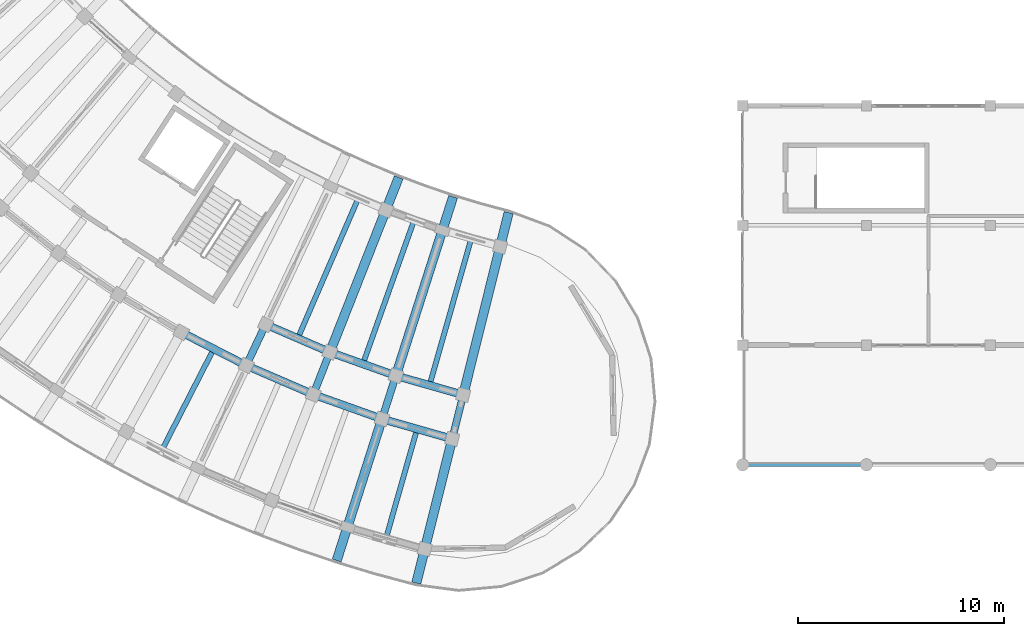
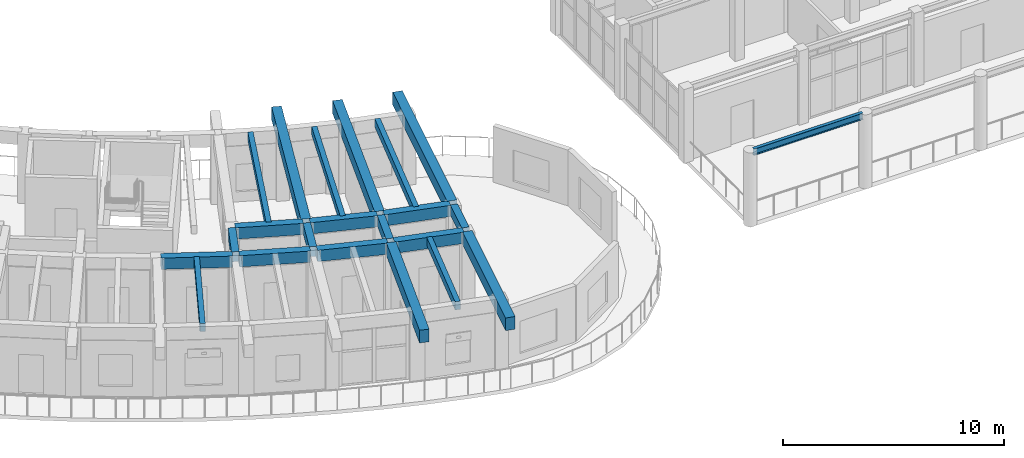
# One storey, part 9 of 128: 22 beams.
"""IFC4 building model written with IfcOpenShell, lengths in metres."""

from ifc_helpers import new_model, si_unit, direction, frame, origin, origin_2d, place, context, subcontext, project, spatial, rectangle, i_section, extrude, material, material_profile, profile_set, type_object, element, save


model = new_model("IFC4")

# Units and contexts
model_context = context("Model", 3, precision=1e-05, world=origin(), true_north=direction((0.0, 1.0)))
body_context = subcontext(model_context, "Body", "Model", "MODEL_VIEW")
ifc_project = project(units=[si_unit("LENGTHUNIT", "METRE"), si_unit("AREAUNIT", "SQUARE_METRE"), si_unit("VOLUMEUNIT", "CUBIC_METRE"), si_unit("PLANEANGLEUNIT", "RADIAN"), si_unit("MASSUNIT", "GRAM", prefix="KILO")], contexts=[model_context])

# Site, building, storey
site_placement = place(None, origin())
site = spatial("IfcSite", under=ifc_project, at=site_placement, CompositionType="ELEMENT")
building_placement = place(site_placement, origin())
building = spatial("IfcBuilding", under=site, at=building_placement, Name="Tanwirah Colonnade Gardens", CompositionType="ELEMENT")
storey_placement = place(building_placement, frame((0.0, 0.0, 4.760009765625)))
storey = spatial("IfcBuildingStorey", under=building, at=storey_placement, Name="L01", CompositionType="ELEMENT", Elevation=4.760009765625)

# Beams
ifc_material_1 = material(Name="Precast concrete C40/50", Category="concrete")
ifc_material_profile_1 = material_profile(ifc_material_1, rectangle(XDim=0.35009765625, YDim=0.550048828125, at=origin_2d()), Name="PC-BM 350x550")
ifc_profile_set_1 = profile_set([ifc_material_profile_1], Name="Precast concrete C40/50")
beam_type_1 = type_object("IfcBeamType", Name="BM-PC350A", PredefinedType="BEAM", material=ifc_profile_set_1)
beam_1_placement = place(storey_placement, frame((42.818359375, 17.46826171875, 3.550048828125), z_axis=(-0.426483812015, -0.904495195172, 0.0), x_axis=(0.904495195172, -0.426483812015, 0.0)))
element("IfcBeam", 1, at=beam_1_placement, inside=storey, type_object=beam_type_1, Name="Block C L01 Corridor Tie Beam 13", PredefinedType="BEAM", context=body_context, shape_type="SweptSolid", body=[
    extrude(rectangle(XDim=0.35009765625, YDim=0.550048828125, at=origin_2d()), origin(), (0.0, 0.0, 1.0), 1.89990234375),
])
beam_2_placement = place(storey_placement, frame((45.94189453125, 16.1181640625, 3.550048828125), z_axis=(-0.366511033969, -0.930413704746, 0.0), x_axis=(0.930413704746, -0.366511033969, 0.0)))
element("IfcBeam", 2, at=beam_2_placement, inside=storey, type_object=beam_type_1, Name="Block C L01 Corridor Tie Beam 14", PredefinedType="BEAM", context=body_context, shape_type="SweptSolid", body=[
    extrude(rectangle(XDim=0.35009765625, YDim=0.550048828125, at=origin_2d()), origin(), (0.0, 0.0, 1.0), 1.899658203125),
])
for number, where, z_axis, x_axis, name in (
    (3, (49.14697265625, 14.975341796875, 3.550048828125), (-0.304794376797, -0.952418179096, 0.0), (0.952418179096, -0.304794376797, 0.0), "Block C L01 Corridor Tie Beam 15"),
    (4, (52.420166015625, 14.044677734375, 3.550048828125), (-0.241961122321, -0.970285945114, 0.0), (0.970285945114, -0.241961122321, 0.0), "Block C L01 Corridor Tie Beam 16"),
):
    element("IfcBeam", number, at=place(storey_placement, frame(where, z_axis=z_axis, x_axis=x_axis)), inside=storey, type_object=beam_type_1, Name=name, PredefinedType="BEAM", context=body_context, shape_type="SweptSolid", body=[
        extrude(rectangle(XDim=0.35009765625, YDim=0.550048828125, at=origin_2d()), origin(), (0.0, 0.0, 1.0), 1.89990234375),
    ])
ifc_material_profile_2 = material_profile(ifc_material_1, rectangle(XDim=0.3798828125, YDim=0.6201171875, at=origin_2d()), Name="PC-BM 380x620")
ifc_profile_set_2 = profile_set([ifc_material_profile_2], Name="Precast concrete C40/50")
beam_type_2 = type_object("IfcBeamType", Name="BM-PC380", PredefinedType="BEAM", material=ifc_profile_set_2)
beam_3_placement = place(storey_placement, frame((38.929443359375, 17.158447265625, 3.514892578125), z_axis=(0.890025451153, -0.45591084249, 0.0), x_axis=(0.45591084249, 0.890025451153, 0.0)))
element("IfcBeam", 5, at=beam_3_placement, inside=storey, type_object=beam_type_2, Name="Block C L01 Circumferential Beam 12-R2", PredefinedType="BEAM", context=body_context, shape_type="SweptSolid", body=[
    extrude(rectangle(XDim=0.3798828125, YDim=0.6201171875, at=origin_2d()), origin(), (0.0, 0.0, 1.0), 3.237060546875),
])
beam_4_placement = place(storey_placement, frame((43.02001953125, 17.54443359375, 3.514892578125), z_axis=(0.917936292782, -0.396727819032, 0.0), x_axis=(0.396727819032, 0.917936292782, 0.0)))
element("IfcBeam", 6, at=beam_4_placement, inside=storey, type_object=beam_type_2, Name="Block C L01 Circumferential Beam 13-R1", PredefinedType="BEAM", context=body_context, shape_type="SweptSolid", body=[
    extrude(rectangle(XDim=0.3798828125, YDim=0.6201171875, at=origin_2d()), origin(), (0.0, 0.0, 1.0), 3.093017578125),
])
beam_5_placement = place(storey_placement, frame((42.08154296875, 15.5546875, 3.514892578125), z_axis=(0.917943156181, -0.396711938338, 0.0), x_axis=(0.396711938338, 0.917943156181, 0.0)))
element("IfcBeam", 7, at=beam_5_placement, inside=storey, type_object=beam_type_2, Name="Block C L01 Circumferential Beam 13-R2", PredefinedType="BEAM", context=body_context, shape_type="SweptSolid", body=[
    extrude(rectangle(XDim=0.3798828125, YDim=0.6201171875, at=origin_2d()), origin(), (0.0, 0.0, 1.0), 3.237060546875),
])
beam_6_placement = place(storey_placement, frame((46.13818359375, 16.20751953125, 3.514892578125), z_axis=(0.941911444877, -0.335861325564, 0.0), x_axis=(0.335861325564, 0.941911444877, 0.0)))
element("IfcBeam", 8, at=beam_6_placement, inside=storey, type_object=beam_type_2, Name="Block C L01 Circumferential Beam 14-R1", PredefinedType="BEAM", context=body_context, shape_type="SweptSolid", body=[
    extrude(rectangle(XDim=0.3798828125, YDim=0.6201171875, at=origin_2d()), origin(), (0.0, 0.0, 1.0), 3.093017578125),
])
beam_7_placement = place(storey_placement, frame((45.331787109375, 14.16064453125, 3.514892578125), z_axis=(0.941917534978, -0.335844245597, 0.0), x_axis=(0.335844245597, 0.941917534978, 0.0)))
element("IfcBeam", 9, at=beam_7_placement, inside=storey, type_object=beam_type_2, Name="Block C L01 Circumferential Beam 14-R2", PredefinedType="BEAM", context=body_context, shape_type="SweptSolid", body=[
    extrude(rectangle(XDim=0.3798828125, YDim=0.6201171875, at=origin_2d()), origin(), (0.0, 0.0, 1.0), 3.237060546875),
])
beam_8_placement = place(storey_placement, frame((49.337158203125, 15.0771484375, 3.514892578125), z_axis=(0.961865763464, -0.273521942585, 0.0), x_axis=(0.273521942585, 0.961865763464, 0.0)))
element("IfcBeam", 10, at=beam_8_placement, inside=storey, type_object=beam_type_2, Name="Block C L01 Circumferential Beam 15-R1", PredefinedType="BEAM", context=body_context, shape_type="SweptSolid", body=[
    extrude(rectangle(XDim=0.3798828125, YDim=0.6201171875, at=origin_2d()), origin(), (0.0, 0.0, 1.0), 3.0927734375),
])
beam_9_placement = place(storey_placement, frame((48.666259765625, 12.98193359375, 3.514892578125), z_axis=(0.96185623635, -0.273555443366, 0.0), x_axis=(0.273555443366, 0.96185623635, 0.0)))
element("IfcBeam", 11, at=beam_9_placement, inside=storey, type_object=beam_type_2, Name="Block C L01 Circumferential Beam 15-R2", PredefinedType="BEAM", context=body_context, shape_type="SweptSolid", body=[
    extrude(rectangle(XDim=0.3798828125, YDim=0.6201171875, at=origin_2d()), origin(), (0.0, 0.0, 1.0), 3.237060546875),
])
ifc_material_2 = material(Name="Precast concrete C45/55", Category="concrete")
ifc_material_profile_3 = material_profile(ifc_material_2, rectangle(XDim=0.449951171875, YDim=0.699951171875, at=origin_2d()), Name="PC-BM 450x700")
ifc_profile_set_3 = profile_set([ifc_material_profile_3], Name="Precast concrete C45/55")
beam_type_3 = type_object("IfcBeamType", Name="BM-PC450", PredefinedType="BEAM", material=ifc_profile_set_3)
for number, where, z_axis, x_axis, name in (
    (12, (46.052001953125, 16.3974609375, 3.47509765625), (0.36648945479, 0.930422204984, 0.0), (-0.930422204984, 0.36648945479, 0.0), "Block C L01 Inner Radial Precast Girder 14"),
    (13, (49.238525390625, 15.26123046875, 3.47509765625), (0.304862826508, 0.952396270999, 0.0), (-0.952396270999, 0.304862826508, 0.0), "Block C L01 Inner Radial Precast Girder 15"),
):
    element("IfcBeam", number, at=place(storey_placement, frame(where, z_axis=z_axis, x_axis=x_axis)), inside=storey, type_object=beam_type_3, Name=name, PredefinedType="BEAM", context=body_context, shape_type="SweptSolid", body=[
        extrude(rectangle(XDim=0.449951171875, YDim=0.699951171875, at=origin_2d()), origin(), (0.0, 0.0, 1.0), 8.949951171875),
    ])
beam_10_placement = place(storey_placement, frame((48.476318359375, 12.880126953125, 3.47509765625), z_axis=(-0.304849862001, -0.952400420851, 0.0), x_axis=(0.952400420851, -0.304849862001, 0.0)))
element("IfcBeam", 14, at=beam_10_placement, inside=storey, type_object=beam_type_3, Name="Block C L01 Outer Radial Precast Girder 15", PredefinedType="BEAM", context=body_context, shape_type="SweptSolid", body=[
    extrude(rectangle(XDim=0.449951171875, YDim=0.699951171875, at=origin_2d()), origin(), (0.0, 0.0, 1.0), 7.050048828125),
])
beam_11_placement = place(storey_placement, frame((52.49267578125, 14.335693359375, 3.47509765625), z_axis=(0.241932243826, 0.970293146115, 0.0), x_axis=(-0.970293146115, 0.241932243826, 0.0)))
element("IfcBeam", 15, at=beam_11_placement, inside=storey, type_object=beam_type_3, Name="Block C L01 Inner Radial Precast Girder 16", PredefinedType="BEAM", context=body_context, shape_type="SweptSolid", body=[
    extrude(rectangle(XDim=0.449951171875, YDim=0.699951171875, at=origin_2d()), origin(), (0.0, 0.0, 1.0), 8.949951171875),
])
beam_12_placement = place(storey_placement, frame((51.887939453125, 11.909912109375, 3.47509765625), z_axis=(-0.241924461086, -0.970295086625, 0.0), x_axis=(0.970295086625, -0.241924461086, 0.0)))
element("IfcBeam", 16, at=beam_12_placement, inside=storey, type_object=beam_type_3, Name="Block C L01 Outer Radial Precast Girder 16", PredefinedType="BEAM", context=body_context, shape_type="SweptSolid", body=[
    extrude(rectangle(XDim=0.449951171875, YDim=0.699951171875, at=origin_2d()), origin(), (0.0, 0.0, 1.0), 7.050048828125),
])
ifc_material_profile_4 = material_profile(ifc_material_1, rectangle(XDim=0.25, YDim=0.449951171875, at=origin_2d()), Name="PC-JST 250x450")
ifc_profile_set_4 = profile_set([ifc_material_profile_4], Name="Precast concrete C40/50")
beam_type_4 = type_object("IfcBeamType", Name="JST-PC250", PredefinedType="JOIST", material=ifc_profile_set_4)
beam_13_placement = place(storey_placement, frame((40.302001953125, 16.287841796875, 3.60009765625), z_axis=(-0.455936851617, -0.890012127635, 0.0), x_axis=(0.890012127635, -0.455936851617, 0.0)))
element("IfcBeam", 17, at=beam_13_placement, inside=storey, type_object=beam_type_4, Name="Block C L01 Precast Floor Joist 12", PredefinedType="JOIST", context=body_context, shape_type="SweptSolid", body=[
    extrude(rectangle(XDim=0.25, YDim=0.449951171875, at=origin_2d()), origin(), (0.0, 0.0, 1.0), 5.260009765625),
])
beam_14_placement = place(storey_placement, frame((47.31689453125, 23.587890625, 3.60009765625), z_axis=(-0.396736454079, -0.917932560706, 0.0), x_axis=(0.917932560706, -0.396736454079, 0.0)))
element("IfcBeam", 18, at=beam_14_placement, inside=storey, type_object=beam_type_4, Name="Block C L01 Inner Precast Floor Joist 13", PredefinedType="JOIST", context=body_context, shape_type="SweptSolid", body=[
    extrude(rectangle(XDim=0.25, YDim=0.449951171875, at=origin_2d()), origin(), (0.0, 0.0, 1.0), 7.159912109375),
])
beam_15_placement = place(storey_placement, frame((50.030517578125, 22.51904296875, 3.60009765625), z_axis=(-0.335861148107, -0.941911508154, 0.0), x_axis=(0.941911508154, -0.335861148107, 0.0)))
element("IfcBeam", 19, at=beam_15_placement, inside=storey, type_object=beam_type_4, Name="Block C L01 Inner Precast Floor Joist 14", PredefinedType="JOIST", context=body_context, shape_type="SweptSolid", body=[
    extrude(rectangle(XDim=0.25, YDim=0.449951171875, at=origin_2d()), origin(), (0.0, 0.0, 1.0), 7.16015625),
])
beam_16_placement = place(storey_placement, frame((50.182373046875, 12.39599609375, 3.60009765625), z_axis=(-0.27352550206, -0.961864751263, 0.0), x_axis=(0.961864751263, -0.27352550206, 0.0)))
element("IfcBeam", 20, at=beam_16_placement, inside=storey, type_object=beam_type_4, Name="Block C L01 Precast Floor Joist 15", PredefinedType="JOIST", context=body_context, shape_type="SweptSolid", body=[
    extrude(rectangle(XDim=0.25, YDim=0.449951171875, at=origin_2d()), origin(), (0.0, 0.0, 1.0), 5.260009765625),
])
beam_17_placement = place(storey_placement, frame((52.808349609375, 21.6298828125, 3.60009765625), z_axis=(-0.273532000762, -0.961862903204, 0.0), x_axis=(0.961862903204, -0.273532000762, 0.0)))
element("IfcBeam", 21, at=beam_17_placement, inside=storey, type_object=beam_type_4, Name="Block C L01 Inner Precast Floor Joist 15", PredefinedType="JOIST", context=body_context, shape_type="SweptSolid", body=[
    extrude(rectangle(XDim=0.25, YDim=0.449951171875, at=origin_2d()), origin(), (0.0, 0.0, 1.0), 7.159912109375),
])
ifc_material_3 = material(Name="Steel S355", Category="steel")
ifc_material_profile_5 = material_profile(ifc_material_3, i_section(OverallWidth=0.169921875, OverallDepth=0.360107421875, WebThickness=0.008056640625, FlangeThickness=0.0126953125, at=origin_2d()), Name="IPE 360")
ifc_profile_set_5 = profile_set([ifc_material_profile_5], Name="Steel S355")
beam_type_5 = type_object("IfcBeamType", Name="SBM-IPE360", PredefinedType="BEAM", material=ifc_profile_set_5)
beam_18_placement = place(storey_placement, frame((66.14990234375, 10.800048828125, 3.89990234375), z_axis=(1.0, 0.0, 0.0), x_axis=(0.0, 1.0, 0.0)))
element("IfcBeam", 22, at=beam_18_placement, inside=storey, type_object=beam_type_5, Name="Boulevard Shops W L01 Beam 0.0", PredefinedType="BEAM", context=body_context, shape_type="SweptSolid", body=[
    extrude(i_section(OverallWidth=0.169921875, OverallDepth=0.360107421875, WebThickness=0.008056640625, FlangeThickness=0.0126953125, at=origin_2d()), origin(), (0.0, 0.0, 1.0), 5.7001953125),
])

save(model, "model.ifc")
